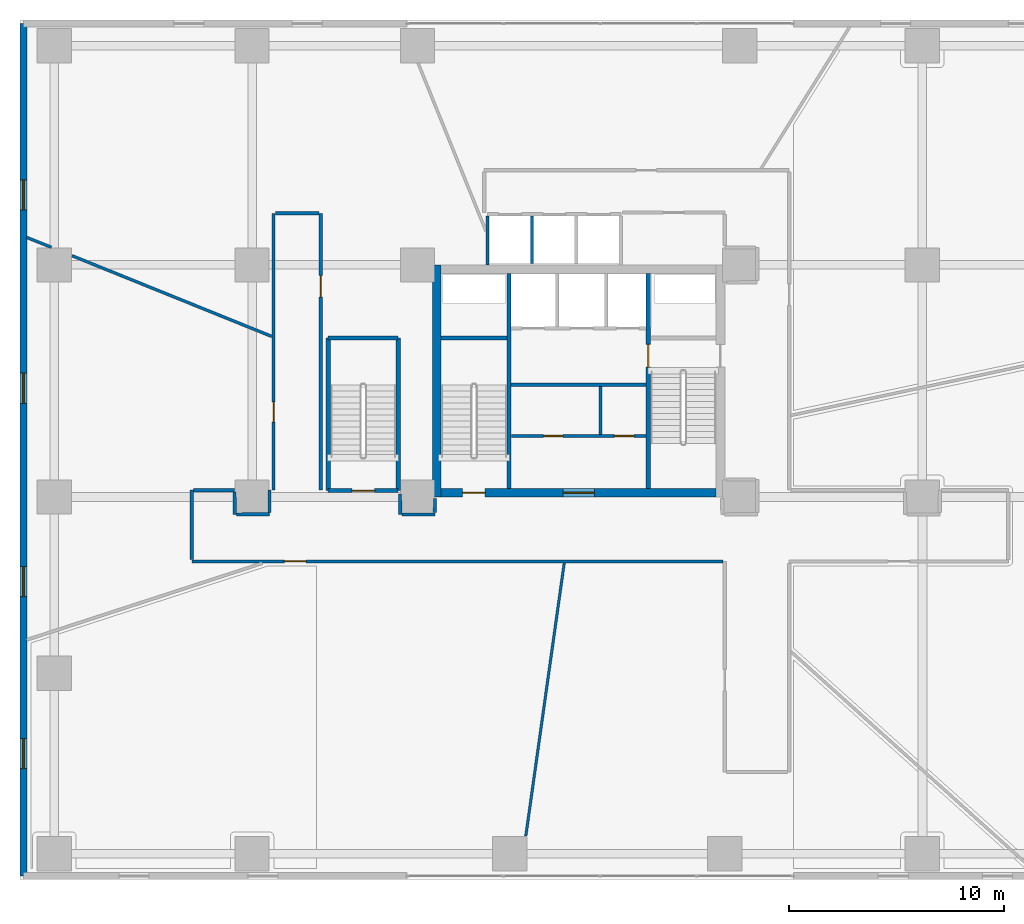
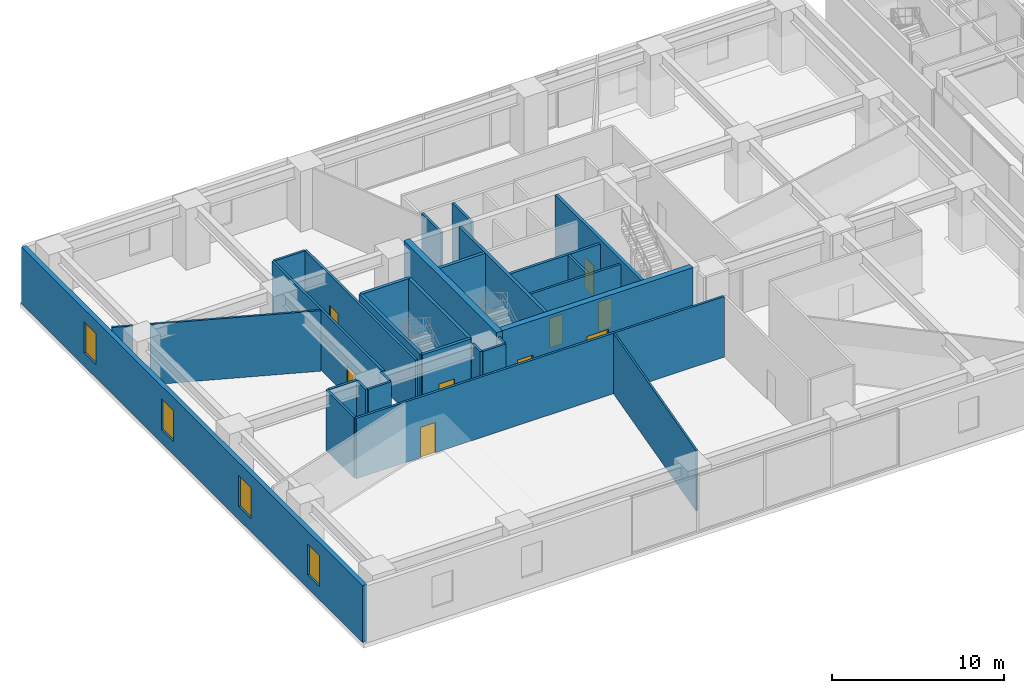
# One storey, part 16 of 24: 30 walls, 9 doors, 4 windows, 13 openings.
"""IFC4 building model written with IfcOpenShell, lengths in metres."""

from ifc_helpers import new_model, si_unit, direction, frame, frame_2d, origin, place, context, subcontext, project, spatial, rectangle, extrude, source, transform, mapped, material, layer, layer_set, type_object, type_shapes, element, fill, save


model = new_model("IFC4")

# Units and contexts
model_context = context("Model", 3, precision=1e-05, world=origin(), true_north=direction((0.0, 1.0)))
body_context = subcontext(model_context, "Body", "Model", "MODEL_VIEW")
ifc_project = project(units=[si_unit("LENGTHUNIT", "METRE"), si_unit("AREAUNIT", "SQUARE_METRE"), si_unit("VOLUMEUNIT", "CUBIC_METRE"), si_unit("PLANEANGLEUNIT", "RADIAN"), si_unit("MASSUNIT", "GRAM", prefix="KILO")], contexts=[model_context])

# Site, building, storey
site_placement = place(None, origin())
site = spatial("IfcSite", under=ifc_project, at=site_placement, CompositionType="ELEMENT")
building_placement = place(site_placement, origin())
building = spatial("IfcBuilding", under=site, at=building_placement, Name="Talar Marvaseh", CompositionType="ELEMENT")
storey_placement = place(building_placement, frame((0.0, 0.0, 9.800048828125)))
storey = spatial("IfcBuildingStorey", under=building, at=storey_placement, Name="L02", CompositionType="ELEMENT", Elevation=9.800048828125)

# Wall, openings, windows
ifc_material_1 = material(Name="Precast concrete C45/55", Category="concrete")
ifc_layer_1 = layer(ifc_material_1, 0.31005859375)
ifc_layer_set_1 = layer_set([ifc_layer_1], Name="Precast concrete C45/55")
wall_type_1 = type_object("IfcWallType", Name="Architectural Precast Limestone Podium Facade Wall 310", PredefinedType="SOLIDWALL", material=ifc_layer_set_1)
wall_1_placement = place(storey_placement, frame((0.159912109375, 8.159912109375, 0.0), z_axis=(0.0, 0.0, 1.0), x_axis=(0.0, 1.0, 0.0)))
wall_1 = element("IfcWall", 1, at=wall_1_placement, inside=storey, type_object=wall_type_1, Name="L02 Podium West Facade Wall", PredefinedType="SOLIDWALL", context=body_context, shape_type="SweptSolid", body=[
    extrude(rectangle(XDim=39.68017578125, YDim=0.31005859375, at=frame_2d((19.840087890625, 0.0))), origin(), (0.0, 0.0, 1.0), 4.050048828125),
])
opening_1_placement = place(wall_1_placement, frame((5.0, 0.0, 0.949951171875)))
opening_1 = element("IfcOpeningElement", 2, at=opening_1_placement, cuts=wall_1, Name="Opening WN-POD14", PredefinedType="OPENING", context=body_context, shape_type="SweptSolid", body=[
    extrude(rectangle(XDim=1.39990234375, YDim=2.199951171875, at=frame_2d((0.699951171875, 1.10009765625))), frame((0.0, 0.1650390625, 0.0), z_axis=(0.0, -1.0, 0.0), x_axis=(1.0, 0.0, 0.0)), (0.0, 0.0, 1.0), 0.330078125),
])
opening_2_placement = place(wall_1_placement, frame((13.0, 0.0, 0.949951171875)))
opening_2 = element("IfcOpeningElement", 3, at=opening_2_placement, cuts=wall_1, Name="Opening WN-POD14", PredefinedType="OPENING", context=body_context, shape_type="SweptSolid", body=[
    extrude(rectangle(XDim=1.39990234375, YDim=2.199951171875, at=frame_2d((0.699951171875, 1.10009765625))), frame((0.0, 0.1650390625, 0.0), z_axis=(0.0, -1.0, 0.0), x_axis=(1.0, 0.0, 0.0)), (0.0, 0.0, 1.0), 0.330078125),
])
opening_3_placement = place(wall_1_placement, frame((22.0, 0.0, 0.949951171875)))
opening_3 = element("IfcOpeningElement", 4, at=opening_3_placement, cuts=wall_1, Name="Opening WN-POD14", PredefinedType="OPENING", context=body_context, shape_type="SweptSolid", body=[
    extrude(rectangle(XDim=1.39990234375, YDim=2.199951171875, at=frame_2d((0.699951171875, 1.10009765625))), frame((0.0, 0.1650390625, 0.0), z_axis=(0.0, -1.0, 0.0), x_axis=(1.0, 0.0, 0.0)), (0.0, 0.0, 1.0), 0.330078125),
])
opening_4_placement = place(wall_1_placement, frame((31.0, 0.0, 0.949951171875)))
opening_4 = element("IfcOpeningElement", 5, at=opening_4_placement, cuts=wall_1, Name="Opening WN-POD14", PredefinedType="OPENING", context=body_context, shape_type="SweptSolid", body=[
    extrude(rectangle(XDim=1.39990234375, YDim=2.199951171875, at=frame_2d((0.699951171875, 1.10009765625))), frame((0.0, 0.1650390625, 0.0), z_axis=(0.0, -1.0, 0.0), x_axis=(1.0, 0.0, 0.0)), (0.0, 0.0, 1.0), 0.330078125),
])
ifc_material_2 = material(Name="Laminated Low-E Solar Glass", Category="glass")
window_type = type_object("IfcWindowType", Name="Podium Mezzanine Solar Window 1400x2200", PartitioningType="SINGLE_PANEL", PredefinedType="WINDOW", material=ifc_material_2)
shared_shape_1 = source(origin(), body_context, "Body", "SweptSolid", [
    extrude(rectangle(XDim=1.39990234375, YDim=2.199951171875, at=frame_2d((0.699951171875, 1.10009765625))), frame((0.0, 0.030029296875, 0.0), z_axis=(0.0, -1.0, 0.0), x_axis=(1.0, 0.0, 0.0)), (0.0, 0.0, 1.0), 0.06005859375),
])
type_shapes(window_type, [shared_shape_1])
window_1_placement = place(opening_1_placement, origin())
window_1 = element("IfcWindow", 6, at=window_1_placement, inside=storey, type_object=window_type, Name="L02 Podium Solar Window", OverallHeight=2.199951171875, OverallWidth=1.39990234375, PartitioningType="SINGLE_PANEL", PredefinedType="WINDOW", context=body_context, shape_type="MappedRepresentation", body=[
    mapped(shared_shape_1, transform((0.0, 0.0, 0.0), x_axis=(1.0, 0.0, 0.0), y_axis=(0.0, 1.0, 0.0), z_axis=(0.0, 0.0, 1.0), scale=1.0)),
])
fill(opening_1, window_1)
window_2_placement = place(opening_2_placement, origin())
window_2 = element("IfcWindow", 7, at=window_2_placement, inside=storey, type_object=window_type, Name="L02 Podium Solar Window", OverallHeight=2.199951171875, OverallWidth=1.39990234375, PartitioningType="SINGLE_PANEL", PredefinedType="WINDOW", context=body_context, shape_type="MappedRepresentation", body=[
    mapped(shared_shape_1, transform((0.0, 0.0, 0.0), x_axis=(1.0, 0.0, 0.0), y_axis=(0.0, 1.0, 0.0), z_axis=(0.0, 0.0, 1.0), scale=1.0)),
])
fill(opening_2, window_2)
window_3_placement = place(opening_3_placement, origin())
window_3 = element("IfcWindow", 8, at=window_3_placement, inside=storey, type_object=window_type, Name="L02 Podium Solar Window", OverallHeight=2.199951171875, OverallWidth=1.39990234375, PartitioningType="SINGLE_PANEL", PredefinedType="WINDOW", context=body_context, shape_type="MappedRepresentation", body=[
    mapped(shared_shape_1, transform((0.0, 0.0, 0.0), x_axis=(1.0, 0.0, 0.0), y_axis=(0.0, 1.0, 0.0), z_axis=(0.0, 0.0, 1.0), scale=1.0)),
])
fill(opening_3, window_3)
window_4_placement = place(opening_4_placement, origin())
window_4 = element("IfcWindow", 9, at=window_4_placement, inside=storey, type_object=window_type, Name="L02 Podium Solar Window", OverallHeight=2.199951171875, OverallWidth=1.39990234375, PartitioningType="SINGLE_PANEL", PredefinedType="WINDOW", context=body_context, shape_type="MappedRepresentation", body=[
    mapped(shared_shape_1, transform((0.0, 0.0, 0.0), x_axis=(1.0, 0.0, 0.0), y_axis=(0.0, 1.0, 0.0), z_axis=(0.0, 0.0, 1.0), scale=1.0)),
])
fill(opening_4, window_4)

# Wall, openings, doors
ifc_material_3 = material(Name="Gypsum Board Partition Assembly")
ifc_layer_2 = layer(ifc_material_3, 0.155029296875)
ifc_layer_set_2 = layer_set([ifc_layer_2], Name="Gypsum Board Partition Assembly")
wall_type_2 = type_object("IfcWallType", Name="Corridor Fire-Rated Acoustic Partition 155", PredefinedType="PARTITIONING", material=ifc_layer_set_2)
wall_2_placement = place(storey_placement, frame((22.865966796875, 28.639892578125, 0.0), z_axis=(0.0, 0.0, 1.0), x_axis=(1.0, 0.0, 0.0)))
wall_2 = element("IfcWall", 10, at=wall_2_placement, inside=storey, type_object=wall_type_2, Name="L02 Core BOH Partition", PredefinedType="PARTITIONING", context=body_context, shape_type="SweptSolid", body=[
    extrude(rectangle(XDim=6.26806640625, YDim=0.155029296875, at=frame_2d((3.134033203125, 0.0))), origin(), (0.0, 0.0, 1.0), 4.300048828125),
])
opening_5_placement = place(wall_2_placement, frame((1.5, 0.0, 0.0)))
opening_5 = element("IfcOpeningElement", 11, at=opening_5_placement, cuts=wall_2, Name="Opening DR-BOH090", PredefinedType="OPENING", context=body_context, shape_type="SweptSolid", body=[
    extrude(rectangle(XDim=0.89990234375, YDim=2.10009765625, at=frame_2d((0.449951171875, 1.050048828125))), frame((0.0, 0.08740234375, 0.0), z_axis=(0.0, -1.0, 0.0), x_axis=(1.0, 0.0, 0.0)), (0.0, 0.0, 1.0), 0.175048828125),
])
opening_6_placement = place(wall_2_placement, frame((4.800048828125, 0.0, 0.0)))
opening_6 = element("IfcOpeningElement", 12, at=opening_6_placement, cuts=wall_2, Name="Opening DR-BOH090", PredefinedType="OPENING", context=body_context, shape_type="SweptSolid", body=[
    extrude(rectangle(XDim=0.89990234375, YDim=2.10009765625, at=frame_2d((0.449951171875, 1.050048828125))), frame((0.0, 0.08740234375, 0.0), z_axis=(0.0, -1.0, 0.0), x_axis=(1.0, 0.0, 0.0)), (0.0, 0.0, 1.0), 0.175048828125),
])
ifc_material_4 = material(Name="Fire-Rated Steel Door Leaf", Category="steel")
door_type_1 = type_object("IfcDoorType", Name="Core Back-of-House Service Door 900x2100", OperationType="NOTDEFINED", PredefinedType="DOOR", material=ifc_material_4)
shared_shape_2 = source(origin(), body_context, "Body", "SweptSolid", [
    extrude(rectangle(XDim=0.89990234375, YDim=2.10009765625, at=frame_2d((0.449951171875, 1.050048828125))), frame((0.0, 0.02490234375, 0.0), z_axis=(0.0, -1.0, 0.0), x_axis=(1.0, 0.0, 0.0)), (0.0, 0.0, 1.0), 0.050048828125),
])
type_shapes(door_type_1, [shared_shape_2])
door_1_placement = place(opening_5_placement, origin())
door_1 = element("IfcDoor", 13, at=door_1_placement, inside=storey, type_object=door_type_1, Name="L02 Plant Core Comms Switch Room Door", OperationType="SINGLE_SWING_LEFT", OverallHeight=2.10009765625, OverallWidth=0.89990234375, PredefinedType="DOOR", context=body_context, shape_type="MappedRepresentation", body=[
    mapped(shared_shape_2, transform((0.0, 0.0, 0.0), x_axis=(1.0, 0.0, 0.0), y_axis=(0.0, 1.0, 0.0), z_axis=(0.0, 0.0, 1.0), scale=1.0)),
])
fill(opening_5, door_1)
door_2_placement = place(opening_6_placement, origin())
door_2 = element("IfcDoor", 14, at=door_2_placement, inside=storey, type_object=door_type_1, Name="L02 Cleaner Cupboard Door", OperationType="SINGLE_SWING_RIGHT", OverallHeight=2.10009765625, OverallWidth=0.89990234375, PredefinedType="DOOR", context=body_context, shape_type="MappedRepresentation", body=[
    mapped(shared_shape_2, transform((0.0, 0.0, 0.0), x_axis=(1.0, 0.0, 0.0), y_axis=(0.0, 1.0, 0.0), z_axis=(0.0, 0.0, 1.0), scale=1.0)),
])
fill(opening_6, door_2)

# Wall
wall_3_placement = place(storey_placement, frame((27.02001953125, 28.719970703125, 0.0), z_axis=(0.0, 0.0, 1.0), x_axis=(0.0, 1.0, 0.0)))
element("IfcWall", 15, at=wall_3_placement, inside=storey, type_object=wall_type_2, Name="L02 Core BOH Partition", PredefinedType="PARTITIONING", context=body_context, shape_type="SweptSolid", body=[
    extrude(rectangle(XDim=2.219970703125, YDim=0.155029296875, at=frame_2d((1.10986328125, 0.0))), origin(), (0.0, 0.0, 1.0), 4.300048828125),
])

# Wall, opening, door
wall_4_placement = place(storey_placement, frame((32.716552734375, 22.800048828125, 0.0), z_axis=(0.0, 0.0, 1.0), x_axis=(-1.0, 0.0, 0.0)))
wall_4 = element("IfcWall", 16, at=wall_4_placement, inside=storey, type_object=wall_type_2, Name="L02 Interior Partition Wall", PredefinedType="PARTITIONING", context=body_context, shape_type="SweptSolid", body=[
    extrude(rectangle(XDim=24.716552734375, YDim=0.155029296875, at=frame_2d((12.3583984375, 0.0))), origin(), (0.0, 0.0, 1.0), 4.300048828125),
])
opening_7_placement = place(wall_4_placement, frame((19.406982421875, 0.0, 0.0)))
opening_7 = element("IfcOpeningElement", 17, at=opening_7_placement, cuts=wall_4, Name="Opening DR-RM100", PredefinedType="OPENING", context=body_context, shape_type="SweptSolid", body=[
    extrude(rectangle(XDim=1.0, YDim=2.14990234375, at=frame_2d((0.5, 1.074951171875))), frame((0.0, 0.08740234375, 0.0), z_axis=(0.0, -1.0, 0.0), x_axis=(1.0, 0.0, 0.0)), (0.0, 0.0, 1.0), 0.175048828125),
])
ifc_material_5 = material(Name="Acoustic Engineered Oak Timber", Category="wood")
door_type_2 = type_object("IfcDoorType", Name="Corridor Fire-Rated Gallery Door 1000x2150", OperationType="NOTDEFINED", PredefinedType="DOOR", material=ifc_material_5)
shared_shape_3 = source(origin(), body_context, "Body", "SweptSolid", [
    extrude(rectangle(XDim=1.0, YDim=2.14990234375, at=frame_2d((0.5, 1.074951171875))), frame((0.0, 0.02490234375, 0.0), z_axis=(0.0, -1.0, 0.0), x_axis=(1.0, 0.0, 0.0)), (0.0, 0.0, 1.0), 0.050048828125),
])
type_shapes(door_type_2, [shared_shape_3])
door_3_placement = place(opening_7_placement, origin())
door_3 = element("IfcDoor", 18, at=door_3_placement, inside=storey, type_object=door_type_2, Name="L02 Main Raked Cultural Auditorium Door", OperationType="SINGLE_SWING_LEFT", OverallHeight=2.14990234375, OverallWidth=1.0, PredefinedType="DOOR", context=body_context, shape_type="MappedRepresentation", body=[
    mapped(shared_shape_3, transform((0.0, 0.0, 0.0), x_axis=(1.0, 0.0, 0.0), y_axis=(0.0, 1.0, 0.0), z_axis=(0.0, 0.0, 1.0), scale=1.0)),
])
fill(opening_7, door_3)

wall_5_placement = place(storey_placement, frame((11.800048828125, 26.1201171875, 0.0), z_axis=(0.0, 0.0, 1.0), x_axis=(0.0, 1.0, 0.0)))
wall_5 = element("IfcWall", 19, at=wall_5_placement, inside=storey, type_object=wall_type_2, Name="L02 Interior Partition Wall", PredefinedType="PARTITIONING", context=body_context, shape_type="SweptSolid", body=[
    extrude(rectangle(XDim=12.8798828125, YDim=0.155029296875, at=frame_2d((6.43994140625, 0.0))), origin(), (0.0, 0.0, 1.0), 4.300048828125),
])
opening_8_placement = place(wall_5_placement, frame((3.1591796875, 0.0, 0.0)))
opening_8 = element("IfcOpeningElement", 20, at=opening_8_placement, cuts=wall_5, Name="Opening DR-WC095", PredefinedType="OPENING", context=body_context, shape_type="SweptSolid", body=[
    extrude(rectangle(XDim=0.949951171875, YDim=2.14990234375, at=frame_2d((0.47509765625, 1.074951171875))), frame((0.0, 0.08740234375, 0.0), z_axis=(0.0, -1.0, 0.0), x_axis=(1.0, 0.0, 0.0)), (0.0, 0.0, 1.0), 0.175048828125),
])
door_type_3 = type_object("IfcDoorType", Name="Washroom and Service Room Door 950x2150", OperationType="NOTDEFINED", PredefinedType="DOOR", material=ifc_material_5)
shared_shape_4 = source(origin(), body_context, "Body", "SweptSolid", [
    extrude(rectangle(XDim=0.949951171875, YDim=2.14990234375, at=frame_2d((0.47509765625, 1.074951171875))), frame((0.0, 0.02490234375, 0.0), z_axis=(0.0, -1.0, 0.0), x_axis=(1.0, 0.0, 0.0)), (0.0, 0.0, 1.0), 0.050048828125),
])
type_shapes(door_type_3, [shared_shape_4])
door_4_placement = place(opening_8_placement, origin())
door_4 = element("IfcDoor", 21, at=door_4_placement, inside=storey, type_object=door_type_3, Name="L02 Acoustic Equipment Store Door", OperationType="SINGLE_SWING_RIGHT", OverallHeight=2.14990234375, OverallWidth=0.949951171875, PredefinedType="DOOR", context=body_context, shape_type="MappedRepresentation", body=[
    mapped(shared_shape_4, transform((0.0, 0.0, 0.0), x_axis=(1.0, 0.0, 0.0), y_axis=(0.0, 1.0, 0.0), z_axis=(0.0, 0.0, 1.0), scale=1.0)),
])
fill(opening_8, door_4)

wall_6_placement = place(storey_placement, frame((14.0, 39.0, 0.0), z_axis=(0.0, 0.0, 1.0), x_axis=(0.0, -1.0, 0.0)))
wall_6 = element("IfcWall", 22, at=wall_6_placement, inside=storey, type_object=wall_type_2, Name="L02 Interior Partition Wall", PredefinedType="PARTITIONING", context=body_context, shape_type="SweptSolid", body=[
    extrude(rectangle(XDim=12.8798828125, YDim=0.155029296875, at=frame_2d((6.43994140625, 0.0))), origin(), (0.0, 0.0, 1.0), 4.300048828125),
])
opening_9_placement = place(wall_6_placement, frame((2.9013671875, 0.0, 0.0)))
opening_9 = element("IfcOpeningElement", 23, at=opening_9_placement, cuts=wall_6, Name="Opening DR-RM100", PredefinedType="OPENING", context=body_context, shape_type="SweptSolid", body=[
    extrude(rectangle(XDim=1.0, YDim=2.14990234375, at=frame_2d((0.5, 1.074951171875))), frame((0.0, 0.08740234375, 0.0), z_axis=(0.0, -1.0, 0.0), x_axis=(1.0, 0.0, 0.0)), (0.0, 0.0, 1.0), 0.175048828125),
])
door_5_placement = place(opening_9_placement, origin())
door_5 = element("IfcDoor", 24, at=door_5_placement, inside=storey, type_object=door_type_2, Name="L02 Rehearsal Studio Door", OperationType="SINGLE_SWING_LEFT", OverallHeight=2.14990234375, OverallWidth=1.0, PredefinedType="DOOR", context=body_context, shape_type="MappedRepresentation", body=[
    mapped(shared_shape_3, transform((0.0, 0.0, 0.0), x_axis=(1.0, 0.0, 0.0), y_axis=(0.0, 1.0, 0.0), z_axis=(0.0, 0.0, 1.0), scale=1.0)),
])
fill(opening_9, door_5)

# Walls
wall_7_placement = place(storey_placement, frame((8.0, 22.883544921875, 0.0), z_axis=(0.0, 0.0, 1.0), x_axis=(0.0, 1.0, 0.0)))
element("IfcWall", 25, at=wall_7_placement, inside=storey, type_object=wall_type_2, Name="L02 Interior Partition Wall", PredefinedType="PARTITIONING", context=body_context, shape_type="SweptSolid", body=[
    extrude(rectangle(XDim=3.236572265625, YDim=0.155029296875, at=frame_2d((1.6181640625, 0.0))), origin(), (0.0, 0.0, 1.0), 4.300048828125),
])
wall_8_placement = place(storey_placement, frame((8.08349609375, 26.1201171875, 0.0), z_axis=(0.0, 0.0, 1.0), x_axis=(1.0, 0.0, 0.0)))
element("IfcWall", 26, at=wall_8_placement, inside=storey, type_object=wall_type_2, Name="L02 Interior Partition Wall", PredefinedType="PARTITIONING", context=body_context, shape_type="SweptSolid", body=[
    extrude(rectangle(XDim=1.901611328125, YDim=0.155029296875, at=frame_2d((0.95068359375, 0.0))), origin(), (0.0, 0.0, 1.0), 4.300048828125),
])
wall_9_placement = place(storey_placement, frame((9.985595703125, 26.03662109375, 0.0), z_axis=(0.0, 0.0, 1.0), x_axis=(0.005817914102, -0.999983075795, 0.0)))
element("IfcWall", 27, at=wall_9_placement, inside=storey, type_object=wall_type_2, Name="L02 Interior Partition Wall", PredefinedType="PARTITIONING", context=body_context, shape_type="SweptSolid", body=[
    extrude(rectangle(XDim=1.049072265625, YDim=0.155029296875, at=frame_2d((0.5244140625, 0.0))), origin(), (0.0, 0.0, 1.0), 4.300048828125),
])
wall_10_placement = place(storey_placement, frame((10.0751953125, 24.988037109375, 0.0), z_axis=(0.0, 0.0, 1.0), x_axis=(0.99998278709, 0.005867326851, 0.0)))
element("IfcWall", 28, at=wall_10_placement, inside=storey, type_object=wall_type_2, Name="L02 Interior Partition Wall", PredefinedType="PARTITIONING", context=body_context, shape_type="SweptSolid", body=[
    extrude(rectangle(XDim=1.53955078125, YDim=0.155029296875, at=frame_2d((0.769775390625, 0.0))), origin(), (0.0, 0.0, 1.0), 4.300048828125),
])
wall_11_placement = place(storey_placement, frame((11.61474609375, 25.08056640625, 0.0), z_axis=(0.0, 0.0, 1.0), x_axis=(0.000234852037, 0.999999972422, 0.0)))
element("IfcWall", 29, at=wall_11_placement, inside=storey, type_object=wall_type_2, Name="L02 Interior Partition Wall", PredefinedType="PARTITIONING", context=body_context, shape_type="SweptSolid", body=[
    extrude(rectangle(XDim=1.03955078125, YDim=0.155029296875, at=frame_2d((0.519775390625, 0.0))), origin(), (0.0, 0.0, 1.0), 4.300048828125),
])
wall_12_placement = place(storey_placement, frame((11.883544921875, 39.0, 0.0), z_axis=(0.0, 0.0, 1.0), x_axis=(1.0, 0.0, 0.0)))
element("IfcWall", 30, at=wall_12_placement, inside=storey, type_object=wall_type_2, Name="L02 Interior Partition Wall", PredefinedType="PARTITIONING", context=body_context, shape_type="SweptSolid", body=[
    extrude(rectangle(XDim=2.032958984375, YDim=0.155029296875, at=frame_2d((1.0166015625, 0.0))), origin(), (0.0, 0.0, 1.0), 4.300048828125),
])
wall_13_placement = place(storey_placement, frame((17.68505859375, 25.949951171875, 0.0), z_axis=(0.0, 0.0, 1.0), x_axis=(0.013915656501, -0.999903172564, 0.0)))
element("IfcWall", 31, at=wall_13_placement, inside=storey, type_object=wall_type_2, Name="L02 Interior Partition Wall", PredefinedType="PARTITIONING", context=body_context, shape_type="SweptSolid", body=[
    extrude(rectangle(XDim=0.96484375, YDim=0.155029296875, at=frame_2d((0.482421875, 0.0))), origin(), (0.0, 0.0, 1.0), 4.300048828125),
])
wall_14_placement = place(storey_placement, frame((17.781982421875, 24.985107421875, 0.0), z_axis=(0.0, 0.0, 1.0), x_axis=(0.999999372198, 0.001120537155, 0.0)))
element("IfcWall", 32, at=wall_14_placement, inside=storey, type_object=wall_type_2, Name="L02 Interior Partition Wall", PredefinedType="PARTITIONING", context=body_context, shape_type="SweptSolid", body=[
    extrude(rectangle(XDim=1.525146484375, YDim=0.155029296875, at=frame_2d((0.7626953125, 0.0))), origin(), (0.0, 0.0, 1.0), 4.300048828125),
])
wall_15_placement = place(storey_placement, frame((19.30810546875, 25.0703125, 0.0), z_axis=(0.0, 0.0, 1.0), x_axis=(0.010362137944, 0.999946311607, 0.0)))
element("IfcWall", 33, at=wall_15_placement, inside=storey, type_object=wall_type_2, Name="L02 Interior Partition Wall", PredefinedType="PARTITIONING", context=body_context, shape_type="SweptSolid", body=[
    extrude(rectangle(XDim=0.65966796875, YDim=0.155029296875, at=frame_2d((0.329833984375, 0.0))), origin(), (0.0, 0.0, 1.0), 4.300048828125),
])
ifc_layer_3 = layer(ifc_material_3, 0.1201171875)
ifc_layer_set_3 = layer_set([ifc_layer_3], Name="Gypsum Board Partition Assembly")
wall_type_3 = type_object("IfcWallType", Name="Demountable Studio Room Partition 120", PredefinedType="PARTITIONING", material=ifc_layer_set_3)
wall_16_placement = place(storey_placement, frame((25.330810546875, 22.735595703125, 0.0), z_axis=(0.0, 0.0, 1.0), x_axis=(-0.139456706052, -0.99022816923, 0.0)))
element("IfcWall", 34, at=wall_16_placement, inside=storey, type_object=wall_type_3, Name="L02 Interior Partition Wall", PredefinedType="PARTITIONING", context=body_context, shape_type="SweptSolid", body=[
    extrude(rectangle(XDim=12.841064453125, YDim=0.1201171875, at=frame_2d((6.42041015625, 0.0))), origin(), (0.0, 0.0, 1.0), 4.300048828125),
])
ifc_layer_4 = layer(ifc_material_1, 0.14501953125)
ifc_layer_set_4 = layer_set([ifc_layer_4], Name="Precast concrete C45/55")
wall_type_4 = type_object("IfcWallType", Name="Fire-Rated Lift Divider Wall 145", PredefinedType="SOLIDWALL", material=ifc_layer_set_4)
wall_17_placement = place(storey_placement, frame((21.760009765625, 36.60009765625, 0.0), z_axis=(0.0, 0.0, 1.0), x_axis=(0.0, 1.0, 0.0)))
element("IfcWall", 35, at=wall_17_placement, inside=storey, type_object=wall_type_4, Name="L02 Low-Rise Bank West Wall", PredefinedType="SOLIDWALL", context=body_context, shape_type="SweptSolid", body=[
    extrude(rectangle(XDim=2.266357421875, YDim=0.14501953125, at=frame_2d((1.13330078125, 0.0))), origin(), (0.0, 0.0, 1.0), 4.300048828125),
])
wall_18_placement = place(storey_placement, frame((23.830078125, 36.659912109375, 0.0), z_axis=(0.0, 0.0, 1.0), x_axis=(0.0, 1.0, 0.0)))
element("IfcWall", 36, at=wall_18_placement, inside=storey, type_object=wall_type_4, Name="L02 PL-L1/PL-L2 Divider", PredefinedType="SOLIDWALL", context=body_context, shape_type="SweptSolid", body=[
    extrude(rectangle(XDim=2.20654296875, YDim=0.14501953125, at=frame_2d((1.103271484375, 0.0))), origin(), (0.0, 0.0, 1.0), 4.300048828125),
])
ifc_layer_5 = layer(ifc_material_1, 0.175048828125)
ifc_layer_set_5 = layer_set([ifc_layer_5], Name="Precast concrete C45/55")
wall_type_5 = type_object("IfcWallType", Name="Fire-Rated Lift Hoistway Enclosure Wall 175", PredefinedType="SOLIDWALL", material=ifc_layer_set_5)
wall_19_placement = place(storey_placement, frame((22.860107421875, 31.02001953125, 0.0), z_axis=(0.0, 0.0, 1.0), x_axis=(1.0, 0.0, 0.0)))
element("IfcWall", 37, at=wall_19_placement, inside=storey, type_object=wall_type_5, Name="L02 Firefighting Lobby South Smoke Wall", PredefinedType="SOLIDWALL", context=body_context, shape_type="SweptSolid", body=[
    extrude(rectangle(XDim=6.27978515625, YDim=0.175048828125, at=frame_2d((3.139892578125, 0.0))), origin(), (0.0, 0.0, 1.0), 4.300048828125),
])
ifc_layer_6 = layer(ifc_material_3, 0.135009765625)
ifc_layer_set_6 = layer_set([ifc_layer_6], Name="Gypsum Board Partition Assembly")
wall_type_6 = type_object("IfcWallType", Name="Gallery High-Acoustic Partition 135", PredefinedType="PARTITIONING", material=ifc_layer_set_6)
wall_20_placement = place(storey_placement, frame((11.716552734375, 33.273681640625, 0.0), z_axis=(0.0, 0.0, 1.0), x_axis=(-0.927174675493, 0.374629311619, 0.0)))
element("IfcWall", 38, at=wall_20_placement, inside=storey, type_object=wall_type_6, Name="L02 Interior Partition Wall", PredefinedType="PARTITIONING", context=body_context, shape_type="SweptSolid", body=[
    extrude(rectangle(XDim=10.02685546875, YDim=0.135009765625, at=frame_2d((5.013427734375, 0.0))), origin(), (0.0, 0.0, 1.0), 4.300048828125),
])
wall_21_placement = place(storey_placement, frame((1.4599609375, 37.419921875, 0.0), z_axis=(0.0, 0.0, 1.0), x_axis=(-0.928476690885, 0.371390676354, 0.0)))
element("IfcWall", 39, at=wall_21_placement, inside=storey, type_object=wall_type_6, Name="L02 Interior Partition Wall", PredefinedType="PARTITIONING", context=body_context, shape_type="SweptSolid", body=[
    extrude(rectangle(XDim=1.238525390625, YDim=0.135009765625, at=frame_2d((0.619140625, 0.0))), origin(), (0.0, 0.0, 1.0), 4.300048828125),
])
ifc_material_6 = material(Name="Concrete C70/85", Category="concrete")
ifc_layer_7 = layer(ifc_material_6, 0.39990234375)
ifc_layer_set_7 = layer_set([ifc_layer_7], Name="Concrete C70/85")
wall_type_7 = type_object("IfcWallType", Name="Lower Core Reinforced Concrete Shear Wall 400", PredefinedType="SHEAR", material=ifc_layer_set_7)
wall_22_placement = place(storey_placement, frame((19.39990234375, 25.800048828125, 0.0), z_axis=(0.0, 0.0, 1.0), x_axis=(0.0, 1.0, 0.0)))
element("IfcWall", 40, at=wall_22_placement, inside=storey, type_object=wall_type_7, Name="L02 West Core Shear Wall", PredefinedType="SHEAR", context=body_context, shape_type="SweptSolid", body=[
    extrude(rectangle(XDim=10.800048828125, YDim=0.39990234375, at=frame_2d((5.39990234375, 0.0))), origin(), (0.0, 0.0, 1.0), 4.599853515625),
])

# Wall, openings, doors
wall_23_placement = place(storey_placement, frame((32.39990234375, 26.0, 0.0), z_axis=(0.0, 0.0, 1.0), x_axis=(-1.0, 0.0, 0.0)))
wall_23 = element("IfcWall", 41, at=wall_23_placement, inside=storey, type_object=wall_type_7, Name="L02 South Core Shear Wall", PredefinedType="SHEAR", context=body_context, shape_type="SweptSolid", body=[
    extrude(rectangle(XDim=12.7998046875, YDim=0.39990234375, at=frame_2d((6.39990234375, 0.0))), origin(), (0.0, 0.0, 1.0), 4.599853515625),
])
opening_10_placement = place(wall_23_placement, frame((10.75, 0.0, 0.0)))
opening_10 = element("IfcOpeningElement", 42, at=opening_10_placement, cuts=wall_23, Name="Opening DR-ST105", PredefinedType="OPENING", context=body_context, shape_type="SweptSolid", body=[
    extrude(rectangle(XDim=1.050048828125, YDim=2.14990234375, at=frame_2d((0.52490234375, 1.074951171875))), frame((0.0, 0.2099609375, 0.0), z_axis=(0.0, -1.0, 0.0), x_axis=(1.0, 0.0, 0.0)), (0.0, 0.0, 1.0), 0.419921875),
])
opening_11_placement = place(wall_23_placement, frame((5.669921875, 0.0, 0.0)))
opening_11 = element("IfcOpeningElement", 43, at=opening_11_placement, cuts=wall_23, Name="Opening DR-LBY145", PredefinedType="OPENING", context=body_context, shape_type="SweptSolid", body=[
    extrude(rectangle(XDim=1.449951171875, YDim=2.199951171875, at=frame_2d((0.72509765625, 1.10009765625))), frame((0.0, 0.2099609375, 0.0), z_axis=(0.0, -1.0, 0.0), x_axis=(1.0, 0.0, 0.0)), (0.0, 0.0, 1.0), 0.419921875),
])
door_type_4 = type_object("IfcDoorType", Name="Protected Exit Stair Fire Door 1050x2150", OperationType="NOTDEFINED", PredefinedType="DOOR", material=ifc_material_4)
shared_shape_5 = source(origin(), body_context, "Body", "SweptSolid", [
    extrude(rectangle(XDim=1.050048828125, YDim=2.14990234375, at=frame_2d((0.52490234375, 1.074951171875))), frame((0.0, 0.02490234375, 0.0), z_axis=(0.0, -1.0, 0.0), x_axis=(1.0, 0.0, 0.0)), (0.0, 0.0, 1.0), 0.050048828125),
])
type_shapes(door_type_4, [shared_shape_5])
door_6_placement = place(opening_10_placement, origin())
door_6 = element("IfcDoor", 44, at=door_6_placement, inside=storey, type_object=door_type_4, Name="L02 Stair ST-1 Exit Door", OperationType="SINGLE_SWING_RIGHT", OverallHeight=2.14990234375, OverallWidth=1.050048828125, PredefinedType="DOOR", context=body_context, shape_type="MappedRepresentation", body=[
    mapped(shared_shape_5, transform((0.0, 0.0, 0.0), x_axis=(1.0, 0.0, 0.0), y_axis=(0.0, 1.0, 0.0), z_axis=(0.0, 0.0, 1.0), scale=1.0)),
])
fill(opening_10, door_6)
door_type_5 = type_object("IfcDoorType", Name="Core Lift Lobby Double Smoke Door 1450x2200", OperationType="NOTDEFINED", PredefinedType="DOOR", material=ifc_material_4)
shared_shape_6 = source(origin(), body_context, "Body", "SweptSolid", [
    extrude(rectangle(XDim=1.449951171875, YDim=2.199951171875, at=frame_2d((0.72509765625, 1.10009765625))), frame((0.0, 0.02490234375, 0.0), z_axis=(0.0, -1.0, 0.0), x_axis=(1.0, 0.0, 0.0)), (0.0, 0.0, 1.0), 0.050048828125),
])
type_shapes(door_type_5, [shared_shape_6])
door_7_placement = place(opening_11_placement, origin())
door_7 = element("IfcDoor", 45, at=door_7_placement, inside=storey, type_object=door_type_5, Name="L02 Passenger Lift Lobby Entrance Door", OperationType="DOUBLE_DOOR_SINGLE_SWING", OverallHeight=2.199951171875, OverallWidth=1.449951171875, PredefinedType="DOOR", context=body_context, shape_type="MappedRepresentation", body=[
    mapped(shared_shape_6, transform((0.0, 0.0, 0.0), x_axis=(1.0, 0.0, 0.0), y_axis=(0.0, 1.0, 0.0), z_axis=(0.0, 0.0, 1.0), scale=1.0)),
])
fill(opening_11, door_7)

# Wall
ifc_material_7 = material(Name="Concrete C50/60", Category="concrete")
ifc_layer_8 = layer(ifc_material_7, 0.199951171875)
ifc_layer_set_8 = layer_set([ifc_layer_8], Name="Concrete C50/60")
wall_type_8 = type_object("IfcWallType", Name="Stair Shaft Structural Concrete Shear Wall 200", PredefinedType="SHEAR", material=ifc_layer_set_8)
wall_24_placement = place(storey_placement, frame((22.760009765625, 26.199951171875, 0.0), z_axis=(0.0, 0.0, 1.0), x_axis=(0.0, 1.0, 0.0)))
element("IfcWall", 46, at=wall_24_placement, inside=storey, type_object=wall_type_8, Name="L02 Core West Stair Shear Wall", PredefinedType="SHEAR", context=body_context, shape_type="SweptSolid", body=[
    extrude(rectangle(XDim=10.0, YDim=0.199951171875, at=frame_2d((5.0, 0.0))), origin(), (0.0, 0.0, 1.0), 4.599853515625),
])

# Wall, opening, door
wall_25_placement = place(storey_placement, frame((29.239990234375, 26.199951171875, 0.0), z_axis=(0.0, 0.0, 1.0), x_axis=(0.0, 1.0, 0.0)))
wall_25 = element("IfcWall", 47, at=wall_25_placement, inside=storey, type_object=wall_type_8, Name="L02 Core East Stair Shear Wall", PredefinedType="SHEAR", context=body_context, shape_type="SweptSolid", body=[
    extrude(rectangle(XDim=10.0, YDim=0.199951171875, at=frame_2d((5.0, 0.0))), origin(), (0.0, 0.0, 1.0), 4.599853515625),
])
opening_12_placement = place(wall_25_placement, frame((5.64990234375, 0.0, 0.0)))
opening_12 = element("IfcOpeningElement", 48, at=opening_12_placement, cuts=wall_25, Name="Opening DR-ST105", PredefinedType="OPENING", context=body_context, shape_type="SweptSolid", body=[
    extrude(rectangle(XDim=1.050048828125, YDim=2.14990234375, at=frame_2d((0.52490234375, 1.074951171875))), frame((0.0, 0.10986328125, 0.0), z_axis=(0.0, -1.0, 0.0), x_axis=(1.0, 0.0, 0.0)), (0.0, 0.0, 1.0), 0.219970703125),
])
door_8_placement = place(opening_12_placement, origin())
door_8 = element("IfcDoor", 49, at=door_8_placement, inside=storey, type_object=door_type_4, Name="L02 Firefighting Lobby to Stair ST-2 Door", OperationType="SINGLE_SWING_LEFT", OverallHeight=2.14990234375, OverallWidth=1.050048828125, PredefinedType="DOOR", context=body_context, shape_type="MappedRepresentation", body=[
    mapped(shared_shape_5, transform((0.0, 0.0, 0.0), x_axis=(1.0, 0.0, 0.0), y_axis=(0.0, 1.0, 0.0), z_axis=(0.0, 0.0, 1.0), scale=1.0)),
])
fill(opening_12, door_8)

# Wall
wall_26_placement = place(storey_placement, frame((19.60009765625, 33.199951171875, 0.0), z_axis=(0.0, 0.0, 1.0), x_axis=(1.0, 0.0, 0.0)))
element("IfcWall", 50, at=wall_26_placement, inside=storey, type_object=wall_type_8, Name="L02 Stair ST-1 North Shear Wall", PredefinedType="SHEAR", context=body_context, shape_type="SweptSolid", body=[
    extrude(rectangle(XDim=3.059814453125, YDim=0.199951171875, at=frame_2d((1.52978515625, 0.0))), origin(), (0.0, 0.0, 1.0), 4.599853515625),
])

# Wall, opening, door
wall_27_placement = place(storey_placement, frame((17.60009765625, 26.10009765625, 0.0), z_axis=(0.0, 0.0, 1.0), x_axis=(-1.0, 0.0, 0.0)))
wall_27 = element("IfcWall", 51, at=wall_27_placement, inside=storey, type_object=wall_type_8, Name="L02 Stair ST-3 South Shear Wall", PredefinedType="SHEAR", context=body_context, shape_type="SweptSolid", body=[
    extrude(rectangle(XDim=3.260009765625, YDim=0.199951171875, at=frame_2d((1.6298828125, 0.0))), origin(), (0.0, 0.0, 1.0), 4.599853515625),
])
opening_13_placement = place(wall_27_placement, frame((1.10009765625, 0.0, 0.0)))
opening_13 = element("IfcOpeningElement", 52, at=opening_13_placement, cuts=wall_27, Name="Opening DR-ST105", PredefinedType="OPENING", context=body_context, shape_type="SweptSolid", body=[
    extrude(rectangle(XDim=1.050048828125, YDim=2.14990234375, at=frame_2d((0.52490234375, 1.074951171875))), frame((0.0, 0.10986328125, 0.0), z_axis=(0.0, -1.0, 0.0), x_axis=(1.0, 0.0, 0.0)), (0.0, 0.0, 1.0), 0.219970703125),
])
door_9_placement = place(opening_13_placement, origin())
door_9 = element("IfcDoor", 53, at=door_9_placement, inside=storey, type_object=door_type_4, Name="L02 Stair ST-3 Exit Door", OperationType="SINGLE_SWING_LEFT", OverallHeight=2.14990234375, OverallWidth=1.050048828125, PredefinedType="DOOR", context=body_context, shape_type="MappedRepresentation", body=[
    mapped(shared_shape_5, transform((0.0, 0.0, 0.0), x_axis=(1.0, 0.0, 0.0), y_axis=(0.0, 1.0, 0.0), z_axis=(0.0, 0.0, 1.0), scale=1.0)),
])
fill(opening_13, door_9)

# Walls
wall_28_placement = place(storey_placement, frame((14.340087890625, 33.199951171875, 0.0), z_axis=(0.0, 0.0, 1.0), x_axis=(1.0, 0.0, 0.0)))
element("IfcWall", 54, at=wall_28_placement, inside=storey, type_object=wall_type_8, Name="L02 Stair ST-3 North Shear Wall", PredefinedType="SHEAR", context=body_context, shape_type="SweptSolid", body=[
    extrude(rectangle(XDim=3.260009765625, YDim=0.199951171875, at=frame_2d((1.6298828125, 0.0))), origin(), (0.0, 0.0, 1.0), 4.599853515625),
])
for number, where, z_axis, x_axis, name in (
    (55, (14.340087890625, 26.10009765625, 0.0), (0.0, 0.0, 1.0), (0.0, 1.0, 0.0), "L02 Stair ST-3 West Shear Wall"),
    (56, (17.60009765625, 26.10009765625, 0.0), (0.0, 0.0, 1.0), (0.0, 1.0, 0.0), "L02 Stair ST-3 East Shear Wall"),
):
    element("IfcWall", number, at=place(storey_placement, frame(where, z_axis=z_axis, x_axis=x_axis)), inside=storey, type_object=wall_type_8, Name=name, PredefinedType="SHEAR", context=body_context, shape_type="SweptSolid", body=[
        extrude(rectangle(XDim=7.099853515625, YDim=0.199951171875, at=frame_2d((3.5498046875, 0.0))), origin(), (0.0, 0.0, 1.0), 4.599853515625),
    ])

save(model, "model.ifc")
